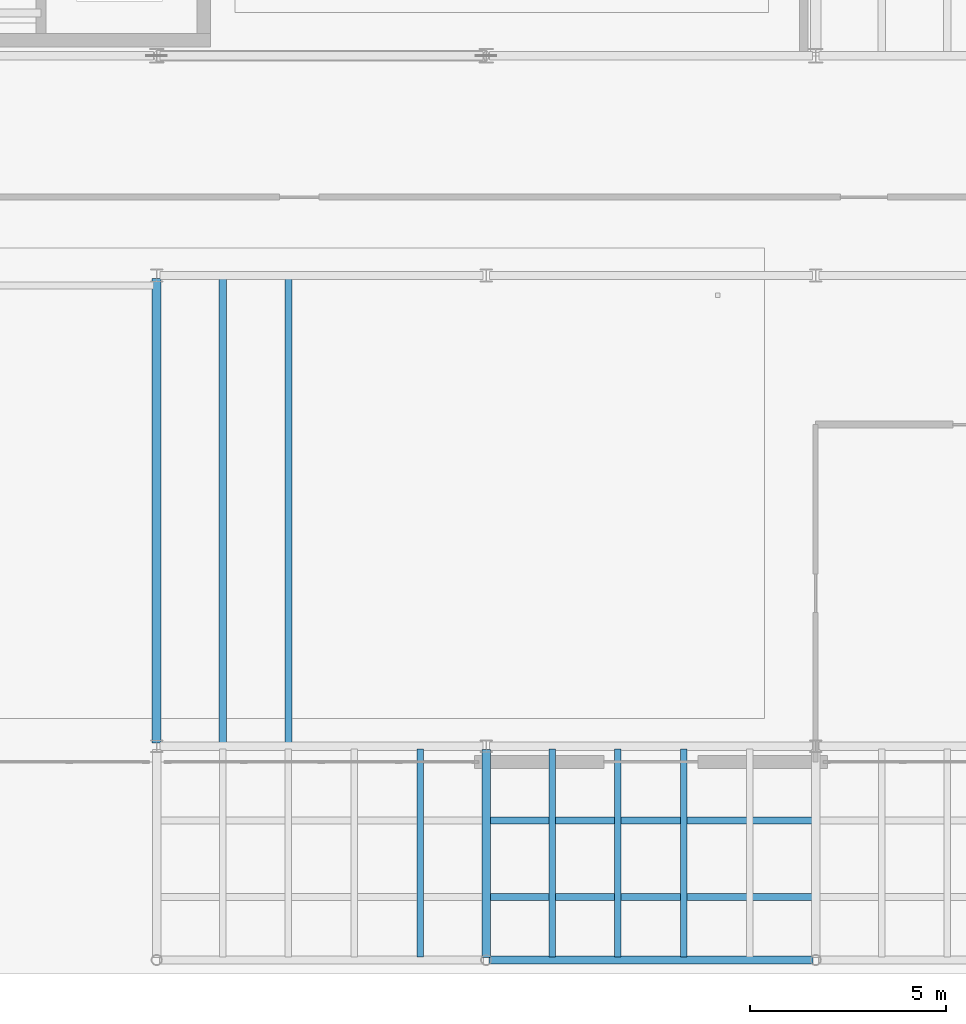
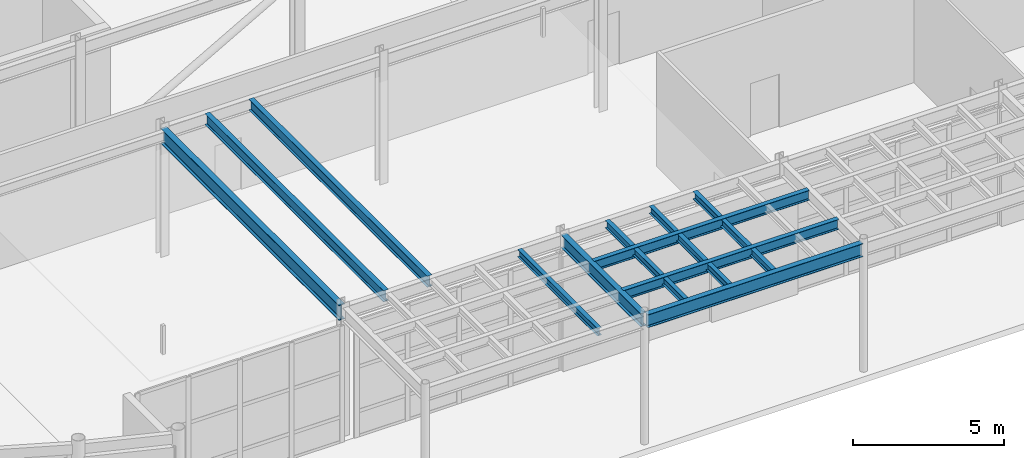
# One storey, part 27 of 87: 11 beams.
"""IFC4 building model written with IfcOpenShell, lengths in metres."""

import ifcopenshell
import ifcopenshell.guid

model = None  # the IFC model being written
_history = None  # IfcOwnerHistory: only IFC2X3 demands one
_inside = {}  # id of a spatial element -> (the spatial element, [elements in it])
_under = {}  # id of a project, library or spatial element -> (it, [spatial elements below it])
_declared = {}  # id of a project -> (the project, [libraries it declares])
_typed = {}  # id of a type object -> (the type object, [elements of that type])
_made_of = {}  # id of a material, layer set ... -> (it, [elements and type objects made of it])


def new_model(schema):
    """Start an empty IFC model of exactly this schema.

    Asked for "IFC4X3", IfcOpenShell would pick the latest addendum, in which some entities
    have other attributes; the version numbers below select the first issue.
    IFC2X3 requires an IfcOwnerHistory on every rooted entity: one is made here for all.
    """
    global model, _history
    if schema == "IFC4X3":
        model = ifcopenshell.file(schema_version=(4, 3, 0, 0))
    else:
        model = ifcopenshell.file(schema=schema)
    _inside.clear()
    _under.clear()
    _declared.clear()
    _typed.clear()
    _made_of.clear()
    _history = None
    if model.schema == "IFC2X3":
        org = make("IfcOrganization", Name="unknown")
        user = make(
            "IfcPersonAndOrganization",
            ThePerson=make("IfcPerson", FamilyName="unknown"),
            TheOrganization=org,
        )
        app = make(
            "IfcApplication",
            ApplicationDeveloper=org,
            Version="unknown",
            ApplicationFullName="unknown",
            ApplicationIdentifier="unknown",
        )
        _history = make(
            "IfcOwnerHistory",
            OwningUser=user,
            OwningApplication=app,
            ChangeAction="ADDED",
            CreationDate=0,
        )
    return model


def make(cls, **values):
    """One entity of the class cls with the attributes given. An attribute that is None is left unset."""
    return model.create_entity(
        cls, **{name: value for name, value in values.items() if value is not None}
    )


def rooted(cls, **values):
    """An entity with a GlobalId (a new one), such as an element, a storey or a relation."""
    return make(cls, GlobalId=ifcopenshell.guid.new(), OwnerHistory=_history, **values)


def si_unit(unit_type, name, prefix=None):
    """IfcSIUnit, for example si_unit("LENGTHUNIT", "METRE", prefix="MILLI")."""
    return make("IfcSIUnit", UnitType=unit_type, Prefix=prefix, Name=name)


def assignment(units):
    """IfcUnitAssignment: the units of a project."""
    return None if units is None else make("IfcUnitAssignment", Units=units)


def point(xyz):
    """IfcCartesianPoint."""
    return None if xyz is None else make("IfcCartesianPoint", Coordinates=xyz)


def direction(xyz):
    """IfcDirection."""
    return None if xyz is None else make("IfcDirection", DirectionRatios=xyz)


def frame(location, z_axis=None, x_axis=None):
    """IfcAxis2Placement3D, a coordinate frame: its origin and axes. An axis left out is left unset."""
    return make(
        "IfcAxis2Placement3D",
        Location=point(location),
        Axis=direction(z_axis),
        RefDirection=direction(x_axis),
    )


def frame_2d(location, x_axis=None):
    """IfcAxis2Placement2D, a coordinate frame in the plane: its origin and x axis."""
    return make(
        "IfcAxis2Placement2D", Location=point(location), RefDirection=direction(x_axis)
    )


def origin():
    """The frame at (0, 0, 0) with its axes left unset."""
    return frame((0.0, 0.0, 0.0))


def origin_2d():
    """The frame at (0, 0) in the plane with its x axis left unset."""
    return frame_2d((0.0, 0.0))


def place(relative_to, where):
    """IfcLocalPlacement: puts the frame where relative to a parent placement (None: the world)."""
    return make(
        "IfcLocalPlacement", PlacementRelTo=relative_to, RelativePlacement=where
    )


def context(
    kind, dimensions, precision=None, world=None, true_north=None, identifier=None
):
    """IfcGeometricRepresentationContext, for example the 3D "Model" context."""
    return make(
        "IfcGeometricRepresentationContext",
        ContextIdentifier=identifier,
        ContextType=kind,
        CoordinateSpaceDimension=dimensions,
        Precision=precision,
        WorldCoordinateSystem=world,
        TrueNorth=true_north,
    )


def subcontext(parent, identifier, kind, view, scale=None):
    """IfcGeometricRepresentationSubContext, for example "Body" below "Model"."""
    return make(
        "IfcGeometricRepresentationSubContext",
        ContextIdentifier=identifier,
        ContextType=kind,
        ParentContext=parent,
        TargetScale=scale,
        TargetView=view,
    )


def project(units=None, contexts=None):
    """IfcProject with its units and contexts."""
    return rooted(
        "IfcProject",
        Name="project",
        RepresentationContexts=contexts,
        UnitsInContext=assignment(units),
    )


def spatial(cls, under=None, at=None, **own):
    """A site, building, storey or space (cls), placed at a placement, below another one or the project."""
    s = rooted(cls, ObjectPlacement=at, **own)
    if under is not None:
        _under.setdefault(under.id(), (under, []))[1].append(s)
    return s


def profile(cls, at=None, kind="AREA", **sizes):
    """A parametric profile (cls). Its sizes go by their IFC names, for example OverallWidth=200.0."""
    return make(cls, ProfileType=kind, Position=at, **sizes)


def i_section(**sizes):
    """IfcIShapeProfileDef."""
    return profile("IfcIShapeProfileDef", **sizes)


def extrude(swept, where, along, depth):
    """IfcExtrudedAreaSolid: the profile swept, set in the frame where, extruded along a direction by depth."""
    return make(
        "IfcExtrudedAreaSolid",
        SweptArea=swept,
        Position=where,
        ExtrudedDirection=direction(along),
        Depth=depth,
    )


def shape(context_of_items, identifier, shape_type, items):
    """IfcShapeRepresentation: the items that make up one representation, for example the "Body"."""
    return make(
        "IfcShapeRepresentation",
        ContextOfItems=context_of_items,
        RepresentationIdentifier=identifier,
        RepresentationType=shape_type,
        Items=items,
    )


def material(Name=None, Category=None):
    """IfcMaterial."""
    return make("IfcMaterial", Name=Name, Category=Category)


def material_profile(
    of_material, cross_section, Name=None, Category=None, Priority=None
):
    """IfcMaterialProfile: a cross section and its material."""
    return make(
        "IfcMaterialProfile",
        Name=Name,
        Material=of_material,
        Profile=cross_section,
        Priority=Priority,
        Category=Category,
    )


def profile_set(profiles, Name=None, composite=None):
    """IfcMaterialProfileSet."""
    return make(
        "IfcMaterialProfileSet",
        Name=Name,
        MaterialProfiles=profiles,
        CompositeProfile=composite,
    )


def made_of(thing, what):
    """Note that an element or type object is made of a material, layer set ...; save() writes the relation."""
    if what is not None:
        _made_of.setdefault(what.id(), (what, []))[1].append(thing)
    return thing


def type_object(cls, material=None, **own):
    """A type object (cls), such as IfcWallType, which elements share."""
    return made_of(rooted(cls, **own), material)


def element(
    cls,
    number,
    at=None,
    inside=None,
    cuts=None,
    type_object=None,
    material=None,
    context=None,
    identifier="Body",
    shape_type=None,
    held_by="IfcProductDefinitionShape",
    body=None,
    shapes=None,
    **own,
):
    """One element of the class cls, such as IfcWall. Its Tag is "e" and its number.

    at: its placement. inside: the storey or other place that contains it. cuts: it is an
    opening in that element (IfcRelVoidsElement). A single representation is given by context,
    identifier, shape_type and body (its items); several are given by shapes. held_by: the class
    of the entity that holds the representations. save() writes the other relations.
    """
    e = rooted(cls, Tag="e%d" % number, ObjectPlacement=at, **own)
    if body is not None:
        shapes = [shape(context, identifier, shape_type, body)]
    if shapes is not None:
        e.Representation = make(held_by, Representations=shapes)
    if inside is not None:
        _inside.setdefault(inside.id(), (inside, []))[1].append(e)
    if cuts is not None:
        rooted(
            "IfcRelVoidsElement", RelatingBuildingElement=cuts, RelatedOpeningElement=e
        )
    if type_object is not None:
        _typed.setdefault(type_object.id(), (type_object, []))[1].append(e)
    return made_of(e, material)


def aggregate(whole, parts):
    """IfcRelAggregates: a whole, such as a stair, and the parts it consists of."""
    return rooted("IfcRelAggregates", RelatingObject=whole, RelatedObjects=parts)


def save(model, path):
    """Write the relations noted so far, then the file.

    IfcRelAggregates (storeys below a building ...), IfcRelContainedInSpatialStructure (elements
    in a storey), IfcRelDefinesByType, IfcRelAssociatesMaterial and IfcRelDeclares: one each for
    every whole, place, type object, material and project.
    """
    for whole, parts in _under.values():
        aggregate(whole, parts)
    for where, things in _inside.values():
        rooted(
            "IfcRelContainedInSpatialStructure",
            RelatedElements=things,
            RelatingStructure=where,
        )
    for kind, things in _typed.values():
        rooted("IfcRelDefinesByType", RelatedObjects=things, RelatingType=kind)
    for what, things in _made_of.values():
        rooted("IfcRelAssociatesMaterial", RelatedObjects=things, RelatingMaterial=what)
    for by, libraries in _declared.values():
        rooted("IfcRelDeclares", RelatingContext=by, RelatedDefinitions=libraries)
    model.write(path)


model = new_model("IFC4")

# Units and contexts
model_context = context("Model", 3, precision=1e-05, world=origin(), true_north=direction((0.0, 1.0)))
body_context = subcontext(model_context, "Body", "Model", "MODEL_VIEW")
ifc_project = project(units=[si_unit("LENGTHUNIT", "METRE"), si_unit("AREAUNIT", "SQUARE_METRE"), si_unit("VOLUMEUNIT", "CUBIC_METRE"), si_unit("PLANEANGLEUNIT", "RADIAN"), si_unit("MASSUNIT", "GRAM", prefix="KILO")], contexts=[model_context])

# Site, building, storey
site_placement = place(None, origin())
site = spatial("IfcSite", under=ifc_project, at=site_placement, CompositionType="ELEMENT")
building_placement = place(site_placement, origin())
building = spatial("IfcBuilding", under=site, at=building_placement, Name="Selat Folded Stagehouse", CompositionType="ELEMENT")
storey_placement = place(building_placement, origin())
storey = spatial("IfcBuildingStorey", under=building, at=storey_placement, Name="L00", CompositionType="ELEMENT", Elevation=0.0)

# Beams
ifc_material = material(Name="Steel S355", Category="steel")
ifc_material_profile_1 = material_profile(ifc_material, i_section(OverallWidth=0.210693359375, OverallDepth=0.53955078125, WebThickness=0.01171875, FlangeThickness=0.018798828125, FilletRadius=0.0126953125, at=origin_2d()), Name="UKB 533x210x109")
ifc_profile_set_1 = profile_set([ifc_material_profile_1], Name="Steel S355")
beam_type_1 = type_object("IfcBeamType", Name="BM-GIRD-533x210x109", PredefinedType="BEAM", material=ifc_profile_set_1)
beam_1_placement = place(storey_placement, frame((50.39990234375, 0.418212890625, 4.940185546875), z_axis=(0.0, 1.0, 0.0), x_axis=(-1.0, 0.0, 0.0)))
element("IfcBeam", 1, at=beam_1_placement, inside=storey, type_object=beam_type_1, Name="L00 primary y-girder 0568", PredefinedType="BEAM", context=body_context, shape_type="SweptSolid", body=[
    extrude(i_section(OverallWidth=0.210693359375, OverallDepth=0.53955078125, WebThickness=0.01171875, FlangeThickness=0.018798828125, FilletRadius=0.0126953125, at=origin_2d()), origin(), (0.0, 0.0, 1.0), 5.3017578125),
])
ifc_material_profile_2 = material_profile(ifc_material, i_section(OverallWidth=0.209228515625, OverallDepth=0.533203125, WebThickness=0.010009765625, FlangeThickness=0.015625, FilletRadius=0.0126953125, at=origin_2d()), Name="UKB 533x210x92")
ifc_profile_set_2 = profile_set([ifc_material_profile_2], Name="Steel S355")
beam_type_2 = type_object("IfcBeamType", Name="BM-GIRD-533x210x92", PredefinedType="BEAM", material=ifc_profile_set_2)
beam_2_placement = place(storey_placement, frame((50.46826171875, 0.35009765625, 4.943603515625), z_axis=(1.0, 0.0, 0.0), x_axis=(0.0, 1.0, 0.0)))
element("IfcBeam", 2, at=beam_2_placement, inside=storey, type_object=beam_type_2, Name="L00 primary x-girder 0497", PredefinedType="BEAM", context=body_context, shape_type="SweptSolid", body=[
    extrude(i_section(OverallWidth=0.209228515625, OverallDepth=0.533203125, WebThickness=0.010009765625, FlangeThickness=0.015625, FilletRadius=0.0126953125, at=origin_2d()), origin(), (0.0, 0.0, 1.0), 8.263427734375),
])
ifc_material_profile_3 = material_profile(ifc_material, i_section(OverallWidth=0.230224609375, OverallDepth=0.6171875, WebThickness=0.01318359375, FlangeThickness=0.022216796875, FilletRadius=0.0126953125, at=origin_2d()), Name="UKB 610x229x140")
ifc_profile_set_3 = profile_set([ifc_material_profile_3], Name="Steel S355")
beam_type_3 = type_object("IfcBeamType", Name="BM-GIRD-610x229x140", PredefinedType="BEAM", material=ifc_profile_set_3)
beam_3_placement = place(storey_placement, frame((42.0, 5.8798828125, 4.871337890625), z_axis=(0.0, 1.0, 0.0), x_axis=(-1.0, 0.0, 0.0)))
element("IfcBeam", 3, at=beam_3_placement, inside=storey, type_object=beam_type_3, Name="L00 primary y-girder 0565", PredefinedType="BEAM", context=body_context, shape_type="SweptSolid", body=[
    extrude(i_section(OverallWidth=0.230224609375, OverallDepth=0.6171875, WebThickness=0.01318359375, FlangeThickness=0.022216796875, FilletRadius=0.0126953125, at=origin_2d()), origin(), (0.0, 0.0, 1.0), 11.840087890625),
])
ifc_material_profile_4 = material_profile(ifc_material, i_section(OverallWidth=0.1650390625, OverallDepth=0.303466796875, WebThickness=0.006103515625, FlangeThickness=0.01025390625, FilletRadius=0.0087890625, at=origin_2d()), Name="UKB 305x165x40")
ifc_profile_set_4 = profile_set([ifc_material_profile_4], Name="Steel S355")
beam_type_4 = type_object("IfcBeamType", Name="JST-305x165x40", PredefinedType="JOIST", material=ifc_profile_set_4)
for number, where, z_axis, x_axis, name in (
    (4, (48.719970703125, 0.42333984375, 5.0283203125), (0.0, 1.0, 0.0), (-1.0, 0.0, 0.0), "L00 secondary floor joist 0650"),
    (5, (52.080078125, 0.42333984375, 5.0283203125), (0.0, 1.0, 0.0), (-1.0, 0.0, 0.0), "L00 secondary floor joist 0652"),
    (6, (53.760009765625, 0.42333984375, 5.0283203125), (0.0, 1.0, 0.0), (-1.0, 0.0, 0.0), "L00 secondary floor joist 0653"),
    (7, (55.43994140625, 0.42333984375, 5.0283203125), (0.0, 1.0, 0.0), (-1.0, 0.0, 0.0), "L00 secondary floor joist 0654"),
):
    element("IfcBeam", number, at=place(storey_placement, frame(where, z_axis=z_axis, x_axis=x_axis)), inside=storey, type_object=beam_type_4, Name=name, PredefinedType="JOIST", context=body_context, shape_type="SweptSolid", body=[
        extrude(i_section(OverallWidth=0.1650390625, OverallDepth=0.303466796875, WebThickness=0.006103515625, FlangeThickness=0.01025390625, FilletRadius=0.0087890625, at=origin_2d()), origin(), (0.0, 0.0, 1.0), 5.303466796875),
    ])
ifc_material_profile_5 = material_profile(ifc_material, i_section(OverallWidth=0.177978515625, OverallDepth=0.406494140625, WebThickness=0.0078125, FlangeThickness=0.0126953125, FilletRadius=0.01025390625, at=origin_2d()), Name="UKB 406x178x60")
ifc_profile_set_5 = profile_set([ifc_material_profile_5], Name="Steel S355")
beam_type_5 = type_object("IfcBeamType", Name="JST-406x178x60", PredefinedType="JOIST", material=ifc_profile_set_5)
for number, where, z_axis, x_axis, name in (
    (8, (50.473876953125, 1.949951171875, 5.0068359375), (1.0, 0.0, 0.0), (0.0, 1.0, 0.0), "L00 secondary x-joist 0700"),
    (9, (50.473876953125, 3.89990234375, 5.0068359375), (1.0, 0.0, 0.0), (0.0, 1.0, 0.0), "L00 secondary x-joist 0705"),
):
    element("IfcBeam", number, at=place(storey_placement, frame(where, z_axis=z_axis, x_axis=x_axis)), inside=storey, type_object=beam_type_5, Name=name, PredefinedType="JOIST", context=body_context, shape_type="SweptSolid", body=[
        extrude(i_section(OverallWidth=0.177978515625, OverallDepth=0.406494140625, WebThickness=0.0078125, FlangeThickness=0.0126953125, FilletRadius=0.01025390625, at=origin_2d()), origin(), (0.0, 0.0, 1.0), 8.25244140625),
    ])
ifc_material_profile_6 = material_profile(ifc_material, i_section(OverallWidth=0.18994140625, OverallDepth=0.453369140625, WebThickness=0.008544921875, FlangeThickness=0.0126953125, FilletRadius=0.01025390625, at=origin_2d()), Name="UKB 457x191x67")
ifc_profile_set_6 = profile_set([ifc_material_profile_6], Name="Steel S355")
beam_type_6 = type_object("IfcBeamType", Name="JST-457x191x67", PredefinedType="JOIST", material=ifc_profile_set_6)
for number, where, z_axis, x_axis, name in (
    (10, (43.679931640625, 5.873291015625, 4.953369140625), (0.0, 1.0, 0.0), (-1.0, 0.0, 0.0), "L00 secondary floor joist 0643"),
    (11, (45.360107421875, 5.873291015625, 4.953369140625), (0.0, 1.0, 0.0), (-1.0, 0.0, 0.0), "L00 secondary floor joist 0646"),
):
    element("IfcBeam", number, at=place(storey_placement, frame(where, z_axis=z_axis, x_axis=x_axis)), inside=storey, type_object=beam_type_6, Name=name, PredefinedType="JOIST", context=body_context, shape_type="SweptSolid", body=[
        extrude(i_section(OverallWidth=0.18994140625, OverallDepth=0.453369140625, WebThickness=0.008544921875, FlangeThickness=0.0126953125, FilletRadius=0.01025390625, at=origin_2d()), origin(), (0.0, 0.0, 1.0), 11.853515625),
    ])

save(model, "model.ifc")
